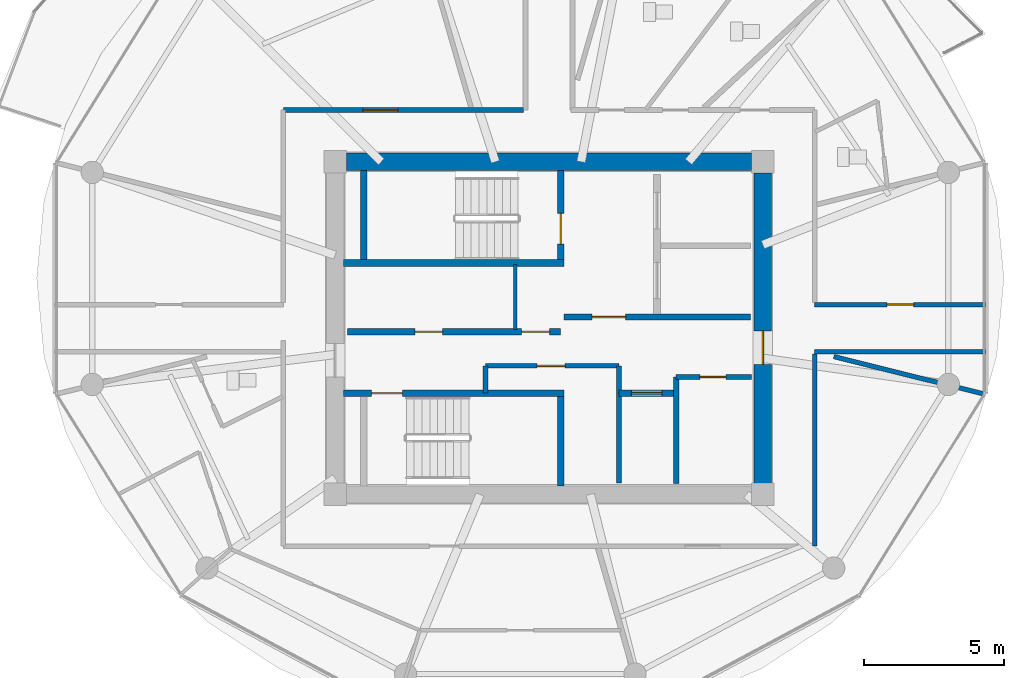
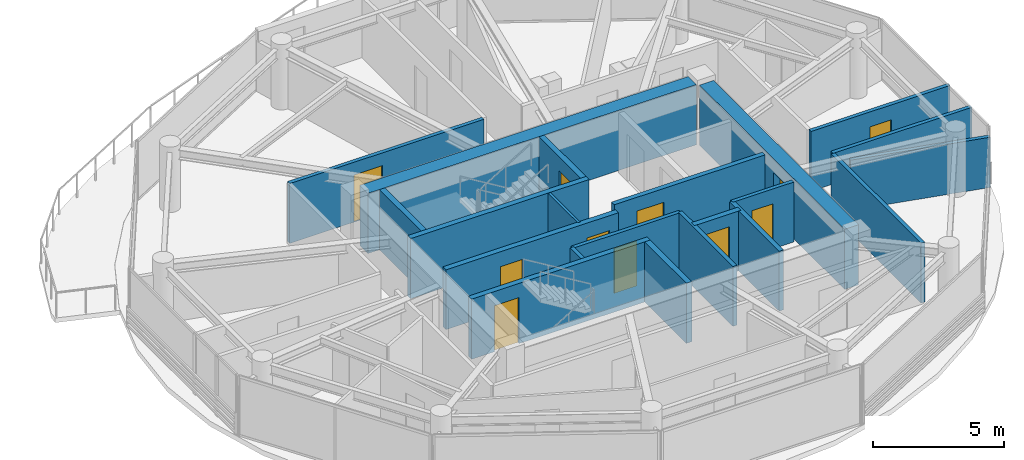
# One storey, part 15 of 23: 21 walls, 11 doors, 11 openings.
"""IFC4 building model written with IfcOpenShell, lengths in metres."""

from ifc_helpers import new_model, si_unit, direction, frame, frame_2d, origin, place, context, subcontext, project, spatial, rectangle, extrude, source, transform, mapped, material, layer, layer_set, type_object, type_shapes, element, fill, save


model = new_model("IFC4")

# Units and contexts
model_context = context("Model", 3, precision=1e-05, world=origin(), true_north=direction((0.0, 1.0)))
body_context = subcontext(model_context, "Body", "Model", "MODEL_VIEW")
ifc_project = project(units=[si_unit("LENGTHUNIT", "METRE"), si_unit("AREAUNIT", "SQUARE_METRE"), si_unit("VOLUMEUNIT", "CUBIC_METRE"), si_unit("PLANEANGLEUNIT", "RADIAN"), si_unit("MASSUNIT", "GRAM", prefix="KILO")], contexts=[model_context])

# Site, building, storey
site_placement = place(None, origin())
site = spatial("IfcSite", under=ifc_project, at=site_placement, CompositionType="ELEMENT")
building_placement = place(site_placement, origin())
building = spatial("IfcBuilding", under=site, at=building_placement, Name="Norrkilde Senior Care Towers", CompositionType="ELEMENT")
storey_placement = place(building_placement, frame((0.0, 0.0, 177.0)))
storey = spatial("IfcBuildingStorey", under=building, at=storey_placement, Name="L55", CompositionType="ELEMENT", Elevation=177.0)

# Wall
ifc_material_1 = material(Name="Concrete C50/60", Category="concrete")
ifc_layer_1 = layer(ifc_material_1, 0.6201171875)
ifc_layer_set_1 = layer_set([ifc_layer_1], Name="Concrete C50/60")
wall_type_1 = type_object("IfcWallType", Name="Core Shear Wall Z3 620", PredefinedType="SHEAR", material=ifc_layer_set_1)
shared_shape_1 = source(origin(), body_context, "Body", "SweptSolid", [
    extrude(rectangle(XDim=14.5, YDim=0.6201171875, at=frame_2d((7.25, 0.0))), origin(), (0.0, 0.0, 1.0), 2.81005859375),
])
wall_1_placement = place(storey_placement, frame((20.75, 5.949951171875, 0.0), z_axis=(0.0, 0.0, 1.0), x_axis=(1.0, 0.0, 0.0)))
element("IfcWall", 1, at=wall_1_placement, inside=storey, type_object=wall_type_1, Name="L55 Core E North Shear Wall", PredefinedType="SHEAR", context=body_context, shape_type="MappedRepresentation", body=[
    mapped(shared_shape_1, transform((0.0, 0.0, 0.0), x_axis=(1.0, 0.0, 0.0), y_axis=(0.0, 1.0, 0.0), z_axis=(0.0, 0.0, 1.0), scale=1.0)),
])

# Wall, opening, door
shared_shape_2 = source(origin(), body_context, "Body", "SweptSolid", [
    extrude(rectangle(XDim=11.10009765625, YDim=0.6201171875, at=frame_2d((5.550048828125, 0.0))), origin(), (0.0, 0.0, 1.0), 2.81005859375),
])
type_shapes(wall_type_1, [shared_shape_1, shared_shape_2])
wall_2_placement = place(storey_placement, frame((35.64990234375, 5.550048828125, 0.0), z_axis=(0.0, 0.0, 1.0), x_axis=(0.0, -1.0, 0.0)))
wall_2 = element("IfcWall", 2, at=wall_2_placement, inside=storey, type_object=wall_type_1, Name="L55 Core E East Shear Wall", PredefinedType="SHEAR", context=body_context, shape_type="MappedRepresentation", body=[
    mapped(shared_shape_2, transform((0.0, 0.0, 0.0), x_axis=(1.0, 0.0, 0.0), y_axis=(0.0, 1.0, 0.0), z_axis=(0.0, 0.0, 1.0), scale=1.0)),
])
opening_1_placement = place(wall_2_placement, frame((5.64990234375, 0.0, 0.0)))
opening_1 = element("IfcOpeningElement", 3, at=opening_1_placement, cuts=wall_2, Name="Opening D-04", PredefinedType="OPENING", context=body_context, shape_type="SweptSolid", body=[
    extrude(rectangle(XDim=1.199951171875, YDim=2.14990234375, at=frame_2d((0.60009765625, 1.074951171875))), frame((0.0, 0.320068359375, 0.0), z_axis=(0.0, -1.0, 0.0), x_axis=(1.0, 0.0, 0.0)), (0.0, 0.0, 1.0), 0.64013671875),
])
ifc_material_2 = material(Name="Galvanised Painted Steel", Category="steel")
door_type_1 = type_object("IfcDoorType", Name="Firefighting Lobby Fire Door 1200x2150", OperationType="NOTDEFINED", PredefinedType="DOOR", material=ifc_material_2)
shared_shape_3 = source(origin(), body_context, "Body", "SweptSolid", [
    extrude(rectangle(XDim=1.199951171875, YDim=2.14990234375, at=frame_2d((0.60009765625, 1.074951171875))), frame((0.0, 0.02490234375, 0.0), z_axis=(0.0, -1.0, 0.0), x_axis=(1.0, 0.0, 0.0)), (0.0, 0.0, 1.0), 0.050048828125),
])
type_shapes(door_type_1, [shared_shape_3])
door_1_placement = place(opening_1_placement, frame((1.199951171875, 0.0, 0.0), z_axis=(0.0, 0.0, 1.0), x_axis=(-1.0, 0.0, 0.0)))
door_1 = element("IfcDoor", 4, at=door_1_placement, inside=storey, type_object=door_type_1, Name="L55 Core E East Portal Door", OperationType="SINGLE_SWING_RIGHT", OverallHeight=2.14990234375, OverallWidth=1.199951171875, PredefinedType="DOOR", context=body_context, shape_type="MappedRepresentation", body=[
    mapped(shared_shape_3, transform((0.0, 0.0, 0.0), x_axis=(1.0, 0.0, 0.0), y_axis=(0.0, 1.0, 0.0), z_axis=(0.0, 0.0, 1.0), scale=1.0)),
])
fill(opening_1, door_1)

# Wall
ifc_material_3 = material(Name="Concrete C45/55", Category="concrete")
ifc_layer_2 = layer(ifc_material_3, 0.239990234375)
ifc_layer_set_2 = layer_set([ifc_layer_2], Name="Concrete C45/55")
wall_type_2 = type_object("IfcWallType", Name="Shaft and Stair Enclosure Wall 240", PredefinedType="PARTITIONING", material=ifc_layer_set_2)
shared_shape_4 = source(origin(), body_context, "Body", "SweptSolid", [
    extrude(rectangle(XDim=7.880126953125, YDim=0.239990234375, at=frame_2d((3.93994140625, 0.0))), origin(), (0.0, 0.0, 1.0), 2.81005859375),
])
wall_3_placement = place(storey_placement, frame((20.659912109375, 2.330078125, 0.0), z_axis=(0.0, 0.0, 1.0), x_axis=(1.0, 0.0, 0.0)))
element("IfcWall", 5, at=wall_3_placement, inside=storey, type_object=wall_type_2, Name="WL-INT-L55-E-ST1S", PredefinedType="PARTITIONING", context=body_context, shape_type="MappedRepresentation", body=[
    mapped(shared_shape_4, transform((0.0, 0.0, 0.0), x_axis=(1.0, 0.0, 0.0), y_axis=(0.0, 1.0, 0.0), z_axis=(0.0, 0.0, 1.0), scale=1.0)),
])

# Wall, opening, door
wall_4_placement = place(storey_placement, frame((20.659912109375, -2.330078125, 0.0), z_axis=(0.0, 0.0, 1.0), x_axis=(1.0, 0.0, 0.0)))
wall_4 = element("IfcWall", 6, at=wall_4_placement, inside=storey, type_object=wall_type_2, Name="WL-INT-L55-E-ST2N", PredefinedType="PARTITIONING", context=body_context, shape_type="MappedRepresentation", body=[
    mapped(shared_shape_4, transform((0.0, 0.0, 0.0), x_axis=(1.0, 0.0, 0.0), y_axis=(0.0, 1.0, 0.0), z_axis=(0.0, 0.0, 1.0), scale=1.0)),
])
opening_2_placement = place(wall_4_placement, frame((1.0, 0.0, 0.0)))
opening_2 = element("IfcOpeningElement", 7, at=opening_2_placement, cuts=wall_4, Name="Opening D-03", PredefinedType="OPENING", context=body_context, shape_type="SweptSolid", body=[
    extrude(rectangle(XDim=1.10009765625, YDim=2.14990234375, at=frame_2d((0.550048828125, 1.074951171875))), frame((0.0, 0.1298828125, 0.0), z_axis=(0.0, -1.0, 0.0), x_axis=(1.0, 0.0, 0.0)), (0.0, 0.0, 1.0), 0.260009765625),
])
door_type_2 = type_object("IfcDoorType", Name="Stairwell Protected Fire Door 1100x2150", OperationType="NOTDEFINED", PredefinedType="DOOR", material=ifc_material_2)
shared_shape_5 = source(origin(), body_context, "Body", "SweptSolid", [
    extrude(rectangle(XDim=1.10009765625, YDim=2.14990234375, at=frame_2d((0.550048828125, 1.074951171875))), frame((0.0, 0.02490234375, 0.0), z_axis=(0.0, -1.0, 0.0), x_axis=(1.0, 0.0, 0.0)), (0.0, 0.0, 1.0), 0.050048828125),
])
type_shapes(door_type_2, [shared_shape_5])
door_2_placement = place(opening_2_placement, frame((1.10009765625, 0.0, 0.0), z_axis=(0.0, 0.0, 1.0), x_axis=(-1.0, 0.0, 0.0)))
door_2 = element("IfcDoor", 8, at=door_2_placement, inside=storey, type_object=door_type_2, Name="L55 Stair E2 Fire Door", OperationType="SINGLE_SWING_RIGHT", OverallHeight=2.14990234375, OverallWidth=1.10009765625, PredefinedType="DOOR", context=body_context, shape_type="MappedRepresentation", body=[
    mapped(shared_shape_5, transform((0.0, 0.0, 0.0), x_axis=(1.0, 0.0, 0.0), y_axis=(0.0, 1.0, 0.0), z_axis=(0.0, 0.0, 1.0), scale=1.0)),
])
fill(opening_2, door_2)

# Wall
shared_shape_6 = source(origin(), body_context, "Body", "SweptSolid", [
    extrude(rectangle(XDim=3.18994140625, YDim=0.239990234375, at=frame_2d((1.594970703125, 0.0))), origin(), (0.0, 0.0, 1.0), 2.81005859375),
])
type_shapes(wall_type_2, [shared_shape_4, shared_shape_6])
wall_5_placement = place(storey_placement, frame((21.3798828125, 2.449951171875, 0.0), z_axis=(0.0, 0.0, 1.0), x_axis=(0.0, 1.0, 0.0)))
element("IfcWall", 9, at=wall_5_placement, inside=storey, type_object=wall_type_2, Name="WL-INT-L55-E-ST1W", PredefinedType="PARTITIONING", context=body_context, shape_type="MappedRepresentation", body=[
    mapped(shared_shape_6, transform((0.0, 0.0, 0.0), x_axis=(1.0, 0.0, 0.0), y_axis=(0.0, 1.0, 0.0), z_axis=(0.0, 0.0, 1.0), scale=1.0)),
])

# Wall, opening, door
wall_6_placement = place(storey_placement, frame((28.419921875, 2.449951171875, 0.0), z_axis=(0.0, 0.0, 1.0), x_axis=(0.0, 1.0, 0.0)))
wall_6 = element("IfcWall", 10, at=wall_6_placement, inside=storey, type_object=wall_type_2, Name="WL-INT-L55-E-ST1E", PredefinedType="PARTITIONING", context=body_context, shape_type="MappedRepresentation", body=[
    mapped(shared_shape_6, transform((0.0, 0.0, 0.0), x_axis=(1.0, 0.0, 0.0), y_axis=(0.0, 1.0, 0.0), z_axis=(0.0, 0.0, 1.0), scale=1.0)),
])
opening_3_placement = place(wall_6_placement, frame((0.550048828125, 0.0, 0.0)))
opening_3 = element("IfcOpeningElement", 11, at=opening_3_placement, cuts=wall_6, Name="Opening D-03", PredefinedType="OPENING", context=body_context, shape_type="SweptSolid", body=[
    extrude(rectangle(XDim=1.10009765625, YDim=2.14990234375, at=frame_2d((0.550048828125, 1.074951171875))), frame((0.0, 0.1298828125, 0.0), z_axis=(0.0, -1.0, 0.0), x_axis=(1.0, 0.0, 0.0)), (0.0, 0.0, 1.0), 0.260009765625),
])
door_3_placement = place(opening_3_placement, origin())
door_3 = element("IfcDoor", 12, at=door_3_placement, inside=storey, type_object=door_type_2, Name="L55 Stair E1 Fire Door", OperationType="SINGLE_SWING_LEFT", OverallHeight=2.14990234375, OverallWidth=1.10009765625, PredefinedType="DOOR", context=body_context, shape_type="MappedRepresentation", body=[
    mapped(shared_shape_5, transform((0.0, 0.0, 0.0), x_axis=(1.0, 0.0, 0.0), y_axis=(0.0, 1.0, 0.0), z_axis=(0.0, 0.0, 1.0), scale=1.0)),
])
fill(opening_3, door_3)

# Wall
wall_7_placement = place(storey_placement, frame((28.419921875, -5.639892578125, 0.0), z_axis=(0.0, 0.0, 1.0), x_axis=(0.0, 1.0, 0.0)))
element("IfcWall", 13, at=wall_7_placement, inside=storey, type_object=wall_type_2, Name="WL-INT-L55-E-ST2E", PredefinedType="PARTITIONING", context=body_context, shape_type="MappedRepresentation", body=[
    mapped(shared_shape_6, transform((0.0, 0.0, 0.0), x_axis=(1.0, 0.0, 0.0), y_axis=(0.0, 1.0, 0.0), z_axis=(0.0, 0.0, 1.0), scale=1.0)),
])

# Wall, opening, door
ifc_layer_3 = layer(ifc_material_3, 0.2099609375)
ifc_layer_set_3 = layer_set([ifc_layer_3], Name="Concrete C45/55")
wall_type_3 = type_object("IfcWallType", Name="Firefighting Lobby Wall 210", PredefinedType="PARTITIONING", material=ifc_layer_set_3)
shared_shape_7 = source(origin(), body_context, "Body", "SweptSolid", [
    extrude(rectangle(XDim=6.659912109375, YDim=0.2099609375, at=frame_2d((3.330078125, 0.0))), origin(), (0.0, 0.0, 1.0), 2.794921875),
])
type_shapes(wall_type_3, [shared_shape_7])
wall_8_placement = place(storey_placement, frame((28.5400390625, 0.389892578125, 0.0), z_axis=(0.0, 0.0, 1.0), x_axis=(1.0, 0.0, 0.0)))
wall_8 = element("IfcWall", 14, at=wall_8_placement, inside=storey, type_object=wall_type_3, Name="WL-INT-L55-E-FFLS", PredefinedType="PARTITIONING", context=body_context, shape_type="MappedRepresentation", body=[
    mapped(shared_shape_7, transform((0.0, 0.0, 0.0), x_axis=(1.0, 0.0, 0.0), y_axis=(0.0, 1.0, 0.0), z_axis=(0.0, 0.0, 1.0), scale=1.0)),
])
opening_4_placement = place(wall_8_placement, frame((1.0, 0.0, 0.0)))
opening_4 = element("IfcOpeningElement", 15, at=opening_4_placement, cuts=wall_8, Name="Opening D-04", PredefinedType="OPENING", context=body_context, shape_type="SweptSolid", body=[
    extrude(rectangle(XDim=1.199951171875, YDim=2.14990234375, at=frame_2d((0.60009765625, 1.074951171875))), frame((0.0, 0.114990234375, 0.0), z_axis=(0.0, -1.0, 0.0), x_axis=(1.0, 0.0, 0.0)), (0.0, 0.0, 1.0), 0.22998046875),
])
door_4_placement = place(opening_4_placement, frame((1.199951171875, 0.0, 0.0), z_axis=(0.0, 0.0, 1.0), x_axis=(-1.0, 0.0, 0.0)))
door_4 = element("IfcDoor", 16, at=door_4_placement, inside=storey, type_object=door_type_1, Name="L55 Firefighting Lobby E Door", OperationType="SINGLE_SWING_LEFT", OverallHeight=2.14990234375, OverallWidth=1.199951171875, PredefinedType="DOOR", context=body_context, shape_type="MappedRepresentation", body=[
    mapped(shared_shape_3, transform((0.0, 0.0, 0.0), x_axis=(1.0, 0.0, 0.0), y_axis=(0.0, 1.0, 0.0), z_axis=(0.0, 0.0, 1.0), scale=1.0)),
])
fill(opening_4, door_4)

# Wall, openings, doors
ifc_layer_4 = layer(ifc_material_3, 0.239990234375)
ifc_layer_set_4 = layer_set([ifc_layer_4], Name="Concrete C45/55")
wall_type_4 = type_object("IfcWallType", Name="Lift and Plant Rated Enclosure Partition 240", PredefinedType="PARTITIONING", material=ifc_layer_set_4)
shared_shape_8 = source(origin(), body_context, "Body", "SweptSolid", [
    extrude(rectangle(XDim=7.619873046875, YDim=0.239990234375, at=frame_2d((3.81005859375, 0.0))), origin(), (0.0, 0.0, 1.0), 2.794921875),
])
wall_9_placement = place(storey_placement, frame((20.800048828125, -0.1298828125, 0.0), z_axis=(0.0, 0.0, 1.0), x_axis=(1.0, 0.0, 0.0)))
wall_9 = element("IfcWall", 17, at=wall_9_placement, inside=storey, type_object=wall_type_4, Name="WL-INT-L55-E-PKAS", PredefinedType="PARTITIONING", context=body_context, shape_type="MappedRepresentation", body=[
    mapped(shared_shape_8, transform((0.0, 0.0, 0.0), x_axis=(1.0, 0.0, 0.0), y_axis=(0.0, 1.0, 0.0), z_axis=(0.0, 0.0, 1.0), scale=1.0)),
])
opening_5_placement = place(wall_9_placement, frame((6.219970703125, 0.0, 0.0)))
opening_5 = element("IfcOpeningElement", 18, at=opening_5_placement, cuts=wall_9, Name="Opening D-10", PredefinedType="OPENING", context=body_context, shape_type="SweptSolid", body=[
    extrude(rectangle(XDim=1.0, YDim=2.10009765625, at=frame_2d((0.5, 1.050048828125))), frame((0.0, 0.1298828125, 0.0), z_axis=(0.0, -1.0, 0.0), x_axis=(1.0, 0.0, 0.0)), (0.0, 0.0, 1.0), 0.260009765625),
])
opening_6_placement = place(wall_9_placement, frame((2.39990234375, 0.0, 0.0)))
opening_6 = element("IfcOpeningElement", 19, at=opening_6_placement, cuts=wall_9, Name="Opening D-10", PredefinedType="OPENING", context=body_context, shape_type="SweptSolid", body=[
    extrude(rectangle(XDim=1.0, YDim=2.10009765625, at=frame_2d((0.5, 1.050048828125))), frame((0.0, 0.1298828125, 0.0), z_axis=(0.0, -1.0, 0.0), x_axis=(1.0, 0.0, 0.0)), (0.0, 0.0, 1.0), 0.260009765625),
])
door_type_3 = type_object("IfcDoorType", Name="Plant and Riser Rated Door 1000x2100", OperationType="NOTDEFINED", PredefinedType="DOOR", material=ifc_material_2)
shared_shape_9 = source(origin(), body_context, "Body", "SweptSolid", [
    extrude(rectangle(XDim=1.0, YDim=2.10009765625, at=frame_2d((0.5, 1.050048828125))), frame((0.0, 0.02490234375, 0.0), z_axis=(0.0, -1.0, 0.0), x_axis=(1.0, 0.0, 0.0)), (0.0, 0.0, 1.0), 0.050048828125),
])
type_shapes(door_type_3, [shared_shape_9])
door_5_placement = place(opening_5_placement, frame((1.0, 0.0, 0.0), z_axis=(0.0, 0.0, 1.0), x_axis=(-1.0, 0.0, 0.0)))
door_5 = element("IfcDoor", 20, at=door_5_placement, inside=storey, type_object=door_type_3, Name="L55 Electrical Riser E Door", OperationType="SINGLE_SWING_LEFT", OverallHeight=2.10009765625, OverallWidth=1.0, PredefinedType="DOOR", context=body_context, shape_type="MappedRepresentation", body=[
    mapped(shared_shape_9, transform((0.0, 0.0, 0.0), x_axis=(1.0, 0.0, 0.0), y_axis=(0.0, 1.0, 0.0), z_axis=(0.0, 0.0, 1.0), scale=1.0)),
])
fill(opening_5, door_5)
door_6_placement = place(opening_6_placement, frame((1.0, 0.0, 0.0), z_axis=(0.0, 0.0, 1.0), x_axis=(-1.0, 0.0, 0.0)))
door_6 = element("IfcDoor", 21, at=door_6_placement, inside=storey, type_object=door_type_3, Name="L55 Clean Supply Store E Door", OperationType="SINGLE_SWING_LEFT", OverallHeight=2.10009765625, OverallWidth=1.0, PredefinedType="DOOR", context=body_context, shape_type="MappedRepresentation", body=[
    mapped(shared_shape_9, transform((0.0, 0.0, 0.0), x_axis=(1.0, 0.0, 0.0), y_axis=(0.0, 1.0, 0.0), z_axis=(0.0, 0.0, 1.0), scale=1.0)),
])
fill(opening_6, door_6)

# Walls
ifc_material_4 = material(Name="Gypsum Acoustic Board")
ifc_layer_5 = layer(ifc_material_4, 0.114990234375)
ifc_layer_set_5 = layer_set([ifc_layer_5], Name="Gypsum Acoustic Board")
wall_type_5 = type_object("IfcWallType", Name="Internal Room Partition 115", PredefinedType="PARTITIONING", material=ifc_layer_set_5)
shared_shape_10 = source(origin(), body_context, "Body", "SweptSolid", [
    extrude(rectangle(XDim=2.330078125, YDim=0.114990234375, at=frame_2d((1.1650390625, 0.0))), origin(), (0.0, 0.0, 1.0), 2.794921875),
])
type_shapes(wall_type_5, [shared_shape_10])
wall_10_placement = place(storey_placement, frame((26.7900390625, -0.050048828125, 0.0), z_axis=(0.0, 0.0, 1.0), x_axis=(0.0, 1.0, 0.0)))
element("IfcWall", 22, at=wall_10_placement, inside=storey, type_object=wall_type_5, Name="WL-INT-L55-E-RISW", PredefinedType="PARTITIONING", context=body_context, shape_type="MappedRepresentation", body=[
    mapped(shared_shape_10, transform((0.0, 0.0, 0.0), x_axis=(1.0, 0.0, 0.0), y_axis=(0.0, 1.0, 0.0), z_axis=(0.0, 0.0, 1.0), scale=1.0)),
])
ifc_layer_6 = layer(ifc_material_3, 0.199951171875)
ifc_layer_set_6 = layer_set([ifc_layer_6], Name="Concrete C45/55")
wall_type_6 = type_object("IfcWallType", Name="Shaft Division and Plant Partition 200", PredefinedType="PARTITIONING", material=ifc_layer_set_6)
shared_shape_11 = source(origin(), body_context, "Body", "SweptSolid", [
    extrude(rectangle(XDim=3.800048828125, YDim=0.199951171875, at=frame_2d((1.89990234375, 0.0))), origin(), (0.0, 0.0, 1.0), 2.794921875),
])
type_shapes(wall_type_6, [shared_shape_11])
wall_11_placement = place(storey_placement, frame((32.550048828125, -5.550048828125, 0.0), z_axis=(0.0, 0.0, 1.0), x_axis=(0.0, 1.0, 0.0)))
element("IfcWall", 23, at=wall_11_placement, inside=storey, type_object=wall_type_6, Name="WL-INT-L55-E-PKBE", PredefinedType="PARTITIONING", context=body_context, shape_type="MappedRepresentation", body=[
    mapped(shared_shape_11, transform((0.0, 0.0, 0.0), x_axis=(1.0, 0.0, 0.0), y_axis=(0.0, 1.0, 0.0), z_axis=(0.0, 0.0, 1.0), scale=1.0)),
])

# Wall, opening, door
ifc_layer_7 = layer(ifc_material_4, 0.1650390625)
ifc_layer_set_7 = layer_set([ifc_layer_7], Name="Gypsum Acoustic Board")
wall_type_7 = type_object("IfcWallType", Name="Corridor Rated Partition 165", PredefinedType="PARTITIONING", material=ifc_layer_set_7)
shared_shape_12 = source(origin(), body_context, "Body", "SweptSolid", [
    extrude(rectangle(XDim=2.699951171875, YDim=0.1650390625, at=frame_2d((1.35009765625, 0.0))), origin(), (0.0, 0.0, 1.0), 2.794921875),
])
wall_12_placement = place(storey_placement, frame((32.550048828125, -1.75, 0.0), z_axis=(0.0, 0.0, 1.0), x_axis=(1.0, 0.0, 0.0)))
wall_12 = element("IfcWall", 24, at=wall_12_placement, inside=storey, type_object=wall_type_7, Name="WL-INT-L55-E-CSN", PredefinedType="PARTITIONING", context=body_context, shape_type="MappedRepresentation", body=[
    mapped(shared_shape_12, transform((0.0, 0.0, 0.0), x_axis=(1.0, 0.0, 0.0), y_axis=(0.0, 1.0, 0.0), z_axis=(0.0, 0.0, 1.0), scale=1.0)),
])
opening_7_placement = place(wall_12_placement, frame((0.85009765625, 0.0, 0.0)))
opening_7 = element("IfcOpeningElement", 25, at=opening_7_placement, cuts=wall_12, Name="Opening D-12", PredefinedType="OPENING", context=body_context, shape_type="SweptSolid", body=[
    extrude(rectangle(XDim=0.925048828125, YDim=2.10009765625, at=frame_2d((0.46240234375, 1.050048828125))), frame((0.0, 0.092529296875, 0.0), z_axis=(0.0, -1.0, 0.0), x_axis=(1.0, 0.0, 0.0)), (0.0, 0.0, 1.0), 0.18505859375),
])
door_type_4 = type_object("IfcDoorType", Name="Core Wet Room Rated Door 925x2100", OperationType="NOTDEFINED", PredefinedType="DOOR", material=ifc_material_2)
shared_shape_13 = source(origin(), body_context, "Body", "SweptSolid", [
    extrude(rectangle(XDim=0.925048828125, YDim=2.10009765625, at=frame_2d((0.46240234375, 1.050048828125))), frame((0.0, 0.02490234375, 0.0), z_axis=(0.0, -1.0, 0.0), x_axis=(1.0, 0.0, 0.0)), (0.0, 0.0, 1.0), 0.050048828125),
])
type_shapes(door_type_4, [shared_shape_13])
door_7_placement = place(opening_7_placement, origin())
door_7 = element("IfcDoor", 26, at=door_7_placement, inside=storey, type_object=door_type_4, Name="L55 Core Utility E Door", OperationType="SINGLE_SWING_LEFT", OverallHeight=2.10009765625, OverallWidth=0.925048828125, PredefinedType="DOOR", context=body_context, shape_type="MappedRepresentation", body=[
    mapped(shared_shape_13, transform((0.0, 0.0, 0.0), x_axis=(1.0, 0.0, 0.0), y_axis=(0.0, 1.0, 0.0), z_axis=(0.0, 0.0, 1.0), scale=1.0)),
])
fill(opening_7, door_7)

# Wall
shared_shape_14 = source(origin(), body_context, "Body", "SweptSolid", [
    extrude(rectangle(XDim=5.564208984375, YDim=0.1650390625, at=frame_2d((2.7822265625, 0.0))), origin(), (0.0, 0.0, 1.0), 2.344970703125),
])
wall_13_placement = place(storey_placement, frame((38.18994140625, -1.02001953125, 0.0), z_axis=(0.0, 0.0, 1.0), x_axis=(0.97031260977, -0.241854169533, 0.0)))
element("IfcWall", 27, at=wall_13_placement, inside=storey, type_object=wall_type_7, Name="WL-INT-L55-E-DEM-11-0", PredefinedType="PARTITIONING", context=body_context, shape_type="MappedRepresentation", body=[
    mapped(shared_shape_14, transform((0.0, 0.0, 0.0), x_axis=(1.0, 0.0, 0.0), y_axis=(0.0, 1.0, 0.0), z_axis=(0.0, 0.0, 1.0), scale=1.0)),
])

# Wall, opening, door
shared_shape_15 = source(origin(), body_context, "Body", "SweptSolid", [
    extrude(rectangle(XDim=2.050048828125, YDim=0.239990234375, at=frame_2d((1.02490234375, 0.0))), origin(), (0.0, 0.0, 1.0), 2.794921875),
])
type_shapes(wall_type_4, [shared_shape_8, shared_shape_15])
wall_14_placement = place(storey_placement, frame((30.5, -2.330078125, 0.0), z_axis=(0.0, 0.0, 1.0), x_axis=(1.0, 0.0, 0.0)))
wall_14 = element("IfcWall", 28, at=wall_14_placement, inside=storey, type_object=wall_type_4, Name="WL-INT-L55-E-PL4N", PredefinedType="PARTITIONING", context=body_context, shape_type="MappedRepresentation", body=[
    mapped(shared_shape_15, transform((0.0, 0.0, 0.0), x_axis=(1.0, 0.0, 0.0), y_axis=(0.0, 1.0, 0.0), z_axis=(0.0, 0.0, 1.0), scale=1.0)),
])
opening_8_placement = place(wall_14_placement, frame((0.449951171875, 0.0, 0.0)))
opening_8 = element("IfcOpeningElement", 29, at=opening_8_placement, cuts=wall_14, Name="Opening LD-01", PredefinedType="OPENING", context=body_context, shape_type="SweptSolid", body=[
    extrude(rectangle(XDim=1.10009765625, YDim=2.199951171875, at=frame_2d((0.550048828125, 1.10009765625))), frame((0.0, 0.1298828125, 0.0), z_axis=(0.0, -1.0, 0.0), x_axis=(1.0, 0.0, 0.0)), (0.0, 0.0, 1.0), 0.260009765625),
])
ifc_material_5 = material(Name="Stainless Steel", Category="steel")
door_type_5 = type_object("IfcDoorType", Name="Lift Landing Sliding Door 1100x2200", OperationType="NOTDEFINED", PredefinedType="DOOR", material=ifc_material_5)
shared_shape_16 = source(origin(), body_context, "Body", "SweptSolid", [
    extrude(rectangle(XDim=1.10009765625, YDim=2.199951171875, at=frame_2d((0.550048828125, 1.10009765625))), frame((0.0, 0.02490234375, 0.0), z_axis=(0.0, -1.0, 0.0), x_axis=(1.0, 0.0, 0.0)), (0.0, 0.0, 1.0), 0.050048828125),
])
type_shapes(door_type_5, [shared_shape_16])
door_8_placement = place(opening_8_placement, frame((1.10009765625, 0.0, 0.0), z_axis=(0.0, 0.0, 1.0), x_axis=(-1.0, 0.0, 0.0)))
door_8 = element("IfcDoor", 30, at=door_8_placement, inside=storey, type_object=door_type_5, Name="L55 Passenger Lift E4 Landing Door", OperationType="SLIDING_TO_RIGHT", OverallHeight=2.199951171875, OverallWidth=1.10009765625, PredefinedType="DOOR", context=body_context, shape_type="MappedRepresentation", body=[
    mapped(shared_shape_16, transform((0.0, 0.0, 0.0), x_axis=(1.0, 0.0, 0.0), y_axis=(0.0, 1.0, 0.0), z_axis=(0.0, 0.0, 1.0), scale=1.0)),
])
fill(opening_8, door_8)

# Wall
ifc_layer_8 = layer(ifc_material_3, 0.179931640625)
ifc_layer_set_8 = layer_set([ifc_layer_8], Name="Concrete C45/55")
wall_type_8 = type_object("IfcWallType", Name="Hoistway Division Rated Partition 180", PredefinedType="PARTITIONING", material=ifc_layer_set_8)
shared_shape_17 = source(origin(), body_context, "Body", "SweptSolid", [
    extrude(rectangle(XDim=4.199951171875, YDim=0.179931640625, at=frame_2d((2.10009765625, 0.0))), origin(), (0.0, 0.0, 1.0), 2.794921875),
])
type_shapes(wall_type_8, [shared_shape_17])
wall_15_placement = place(storey_placement, frame((30.5, -5.550048828125, 0.0), z_axis=(0.0, 0.0, 1.0), x_axis=(0.0, 1.0, 0.0)))
element("IfcWall", 31, at=wall_15_placement, inside=storey, type_object=wall_type_8, Name="WL-INT-L55-E-PL4W", PredefinedType="PARTITIONING", context=body_context, shape_type="MappedRepresentation", body=[
    mapped(shared_shape_17, transform((0.0, 0.0, 0.0), x_axis=(1.0, 0.0, 0.0), y_axis=(0.0, 1.0, 0.0), z_axis=(0.0, 0.0, 1.0), scale=1.0)),
])

# Wall, opening, door
shared_shape_18 = source(origin(), body_context, "Body", "SweptSolid", [
    extrude(rectangle(XDim=4.77001953125, YDim=0.1650390625, at=frame_2d((2.385009765625, 0.0))), origin(), (0.0, 0.0, 1.0), 2.794921875),
])
wall_16_placement = place(storey_placement, frame((25.72998046875, -1.35009765625, 0.0), z_axis=(0.0, 0.0, 1.0), x_axis=(1.0, 0.0, 0.0)))
wall_16 = element("IfcWall", 32, at=wall_16_placement, inside=storey, type_object=wall_type_7, Name="WL-INT-L55-E-FR2N", PredefinedType="PARTITIONING", context=body_context, shape_type="MappedRepresentation", body=[
    mapped(shared_shape_18, transform((0.0, 0.0, 0.0), x_axis=(1.0, 0.0, 0.0), y_axis=(0.0, 1.0, 0.0), z_axis=(0.0, 0.0, 1.0), scale=1.0)),
])
opening_9_placement = place(wall_16_placement, frame((1.85009765625, 0.0, 0.0)))
opening_9 = element("IfcOpeningElement", 33, at=opening_9_placement, cuts=wall_16, Name="Opening D-10", PredefinedType="OPENING", context=body_context, shape_type="SweptSolid", body=[
    extrude(rectangle(XDim=1.0, YDim=2.10009765625, at=frame_2d((0.5, 1.050048828125))), frame((0.0, 0.092529296875, 0.0), z_axis=(0.0, -1.0, 0.0), x_axis=(1.0, 0.0, 0.0)), (0.0, 0.0, 1.0), 0.18505859375),
])
door_9_placement = place(opening_9_placement, origin())
door_9 = element("IfcDoor", 34, at=door_9_placement, inside=storey, type_object=door_type_3, Name="L55 Core Pantry E Door", OperationType="SINGLE_SWING_RIGHT", OverallHeight=2.10009765625, OverallWidth=1.0, PredefinedType="DOOR", context=body_context, shape_type="MappedRepresentation", body=[
    mapped(shared_shape_9, transform((0.0, 0.0, 0.0), x_axis=(1.0, 0.0, 0.0), y_axis=(0.0, 1.0, 0.0), z_axis=(0.0, 0.0, 1.0), scale=1.0)),
])
fill(opening_9, door_9)

# Wall
shared_shape_19 = source(origin(), body_context, "Body", "SweptSolid", [
    extrude(rectangle(XDim=0.97998046875, YDim=0.1650390625, at=frame_2d((0.489990234375, 0.0))), origin(), (0.0, 0.0, 1.0), 2.794921875),
])
wall_17_placement = place(storey_placement, frame((25.72998046875, -2.330078125, 0.0), z_axis=(0.0, 0.0, 1.0), x_axis=(0.0, 1.0, 0.0)))
element("IfcWall", 35, at=wall_17_placement, inside=storey, type_object=wall_type_7, Name="WL-INT-L55-E-FR2W", PredefinedType="PARTITIONING", context=body_context, shape_type="MappedRepresentation", body=[
    mapped(shared_shape_19, transform((0.0, 0.0, 0.0), x_axis=(1.0, 0.0, 0.0), y_axis=(0.0, 1.0, 0.0), z_axis=(0.0, 0.0, 1.0), scale=1.0)),
])

# Wall, opening, door
shared_shape_20 = source(origin(), body_context, "Body", "SweptSolid", [
    extrude(rectangle(XDim=8.580078125, YDim=0.1650390625, at=frame_2d((4.2900390625, 0.0))), origin(), (0.0, 0.0, 1.0), 2.794921875),
])
wall_18_placement = place(storey_placement, frame((18.5, 7.800048828125, 0.0), z_axis=(0.0, 0.0, 1.0), x_axis=(1.0, 0.0, 0.0)))
wall_18 = element("IfcWall", 36, at=wall_18_placement, inside=storey, type_object=wall_type_7, Name="WL-INT-L55-E-CRW-N-0", PredefinedType="PARTITIONING", context=body_context, shape_type="MappedRepresentation", body=[
    mapped(shared_shape_20, transform((0.0, 0.0, 0.0), x_axis=(1.0, 0.0, 0.0), y_axis=(0.0, 1.0, 0.0), z_axis=(0.0, 0.0, 1.0), scale=1.0)),
])
opening_10_placement = place(wall_18_placement, frame((2.8427734375, 0.0, 0.0)))
opening_10 = element("IfcOpeningElement", 37, at=opening_10_placement, cuts=wall_18, Name="Opening D-05", PredefinedType="OPENING", context=body_context, shape_type="SweptSolid", body=[
    extrude(rectangle(XDim=1.25, YDim=2.199951171875, at=frame_2d((0.625, 1.10009765625))), frame((0.0, 0.092529296875, 0.0), z_axis=(0.0, -1.0, 0.0), x_axis=(1.0, 0.0, 0.0)), (0.0, 0.0, 1.0), 0.18505859375),
])
ifc_material_6 = material(Name="Nordic Ash Timber", Category="wood")
door_type_6 = type_object("IfcDoorType", Name="Care Bedroom Bariatric Door 1250x2200", OperationType="NOTDEFINED", PredefinedType="DOOR", material=ifc_material_6)
shared_shape_21 = source(origin(), body_context, "Body", "SweptSolid", [
    extrude(rectangle(XDim=1.25, YDim=2.199951171875, at=frame_2d((0.625, 1.10009765625))), frame((0.0, 0.02490234375, 0.0), z_axis=(0.0, -1.0, 0.0), x_axis=(1.0, 0.0, 0.0)), (0.0, 0.0, 1.0), 0.050048828125),
])
type_shapes(door_type_6, [shared_shape_21])
door_10_placement = place(opening_10_placement, frame((1.25, 0.0, 0.0), z_axis=(0.0, 0.0, 1.0), x_axis=(-1.0, 0.0, 0.0)))
door_10 = element("IfcDoor", 38, at=door_10_placement, inside=storey, type_object=door_type_6, Name="L55 Senior Wellness Library Lounge Door", OperationType="SINGLE_SWING_RIGHT", OverallHeight=2.199951171875, OverallWidth=1.25, PredefinedType="DOOR", context=body_context, shape_type="MappedRepresentation", body=[
    mapped(shared_shape_21, transform((0.0, 0.0, 0.0), x_axis=(1.0, 0.0, 0.0), y_axis=(0.0, 1.0, 0.0), z_axis=(0.0, 0.0, 1.0), scale=1.0)),
])
fill(opening_10, door_10)

# Wall
shared_shape_22 = source(origin(), body_context, "Body", "SweptSolid", [
    extrude(rectangle(XDim=6.880126953125, YDim=0.1650390625, at=frame_2d((3.43994140625, 0.0))), origin(), (0.0, 0.0, 1.0), 2.794921875),
])
wall_19_placement = place(storey_placement, frame((37.5, -0.919921875, 0.0), z_axis=(0.0, 0.0, 1.0), x_axis=(0.0, -1.0, 0.0)))
element("IfcWall", 39, at=wall_19_placement, inside=storey, type_object=wall_type_7, Name="WL-INT-L55-E-CRW-E-1", PredefinedType="PARTITIONING", context=body_context, shape_type="MappedRepresentation", body=[
    mapped(shared_shape_22, transform((0.0, 0.0, 0.0), x_axis=(1.0, 0.0, 0.0), y_axis=(0.0, 1.0, 0.0), z_axis=(0.0, 0.0, 1.0), scale=1.0)),
])

# Wall, opening, door
shared_shape_23 = source(origin(), body_context, "Body", "SweptSolid", [
    extrude(rectangle(XDim=6.138916015625, YDim=0.1650390625, at=frame_2d((3.0693359375, 0.0))), origin(), (0.0, 0.0, 1.0), 2.794921875),
])
type_shapes(wall_type_7, [shared_shape_12, shared_shape_14, shared_shape_18, shared_shape_19, shared_shape_20, shared_shape_22, shared_shape_23])
wall_20_placement = place(storey_placement, frame((37.5, 0.840087890625, 0.0), z_axis=(0.0, 0.0, 1.0), x_axis=(1.0, 0.0, 0.0)))
wall_20 = element("IfcWall", 40, at=wall_20_placement, inside=storey, type_object=wall_type_7, Name="WL-INT-L55-E-SPK-E1-0", PredefinedType="PARTITIONING", context=body_context, shape_type="MappedRepresentation", body=[
    mapped(shared_shape_23, transform((0.0, 0.0, 0.0), x_axis=(1.0, 0.0, 0.0), y_axis=(0.0, 1.0, 0.0), z_axis=(0.0, 0.0, 1.0), scale=1.0)),
])
opening_11_placement = place(wall_20_placement, frame((2.594482421875, 0.0, 0.0)))
opening_11 = element("IfcOpeningElement", 41, at=opening_11_placement, cuts=wall_20, Name="Opening D-07", PredefinedType="OPENING", context=body_context, shape_type="SweptSolid", body=[
    extrude(rectangle(XDim=0.949951171875, YDim=2.10009765625, at=frame_2d((0.47509765625, 1.050048828125))), frame((0.0, 0.092529296875, 0.0), z_axis=(0.0, -1.0, 0.0), x_axis=(1.0, 0.0, 0.0)), (0.0, 0.0, 1.0), 0.18505859375),
])
door_type_7 = type_object("IfcDoorType", Name="Internal Suite Bedroom Door 950x2100", OperationType="NOTDEFINED", PredefinedType="DOOR", material=ifc_material_6)
shared_shape_24 = source(origin(), body_context, "Body", "SweptSolid", [
    extrude(rectangle(XDim=0.949951171875, YDim=2.10009765625, at=frame_2d((0.47509765625, 1.050048828125))), frame((0.0, 0.02490234375, 0.0), z_axis=(0.0, -1.0, 0.0), x_axis=(1.0, 0.0, 0.0)), (0.0, 0.0, 1.0), 0.050048828125),
])
type_shapes(door_type_7, [shared_shape_24])
door_11_placement = place(opening_11_placement, frame((0.949951171875, 0.0, 0.0), z_axis=(0.0, 0.0, 1.0), x_axis=(-1.0, 0.0, 0.0)))
door_11 = element("IfcDoor", 42, at=door_11_placement, inside=storey, type_object=door_type_7, Name="L55 Sun Reading Lounge 5 Door", OperationType="SINGLE_SWING_RIGHT", OverallHeight=2.10009765625, OverallWidth=0.949951171875, PredefinedType="DOOR", context=body_context, shape_type="MappedRepresentation", body=[
    mapped(shared_shape_24, transform((0.0, 0.0, 0.0), x_axis=(1.0, 0.0, 0.0), y_axis=(0.0, 1.0, 0.0), z_axis=(0.0, 0.0, 1.0), scale=1.0)),
])
fill(opening_11, door_11)

# Wall
wall_21_placement = place(storey_placement, frame((43.638916015625, -0.840087890625, 0.0), z_axis=(0.0, 0.0, 1.0), x_axis=(-1.0, 0.0, 0.0)))
element("IfcWall", 43, at=wall_21_placement, inside=storey, type_object=wall_type_7, Name="WL-INT-L55-E-SPK-E2-0", PredefinedType="PARTITIONING", context=body_context, shape_type="MappedRepresentation", body=[
    mapped(shared_shape_23, transform((0.0, 0.0, 0.0), x_axis=(1.0, 0.0, 0.0), y_axis=(0.0, 1.0, 0.0), z_axis=(0.0, 0.0, 1.0), scale=1.0)),
])

save(model, "model.ifc")
